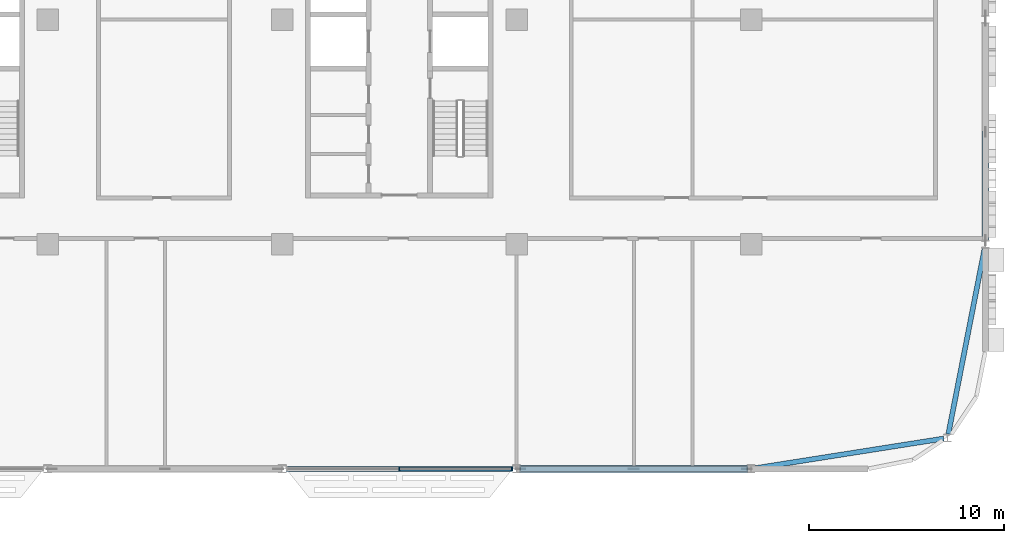
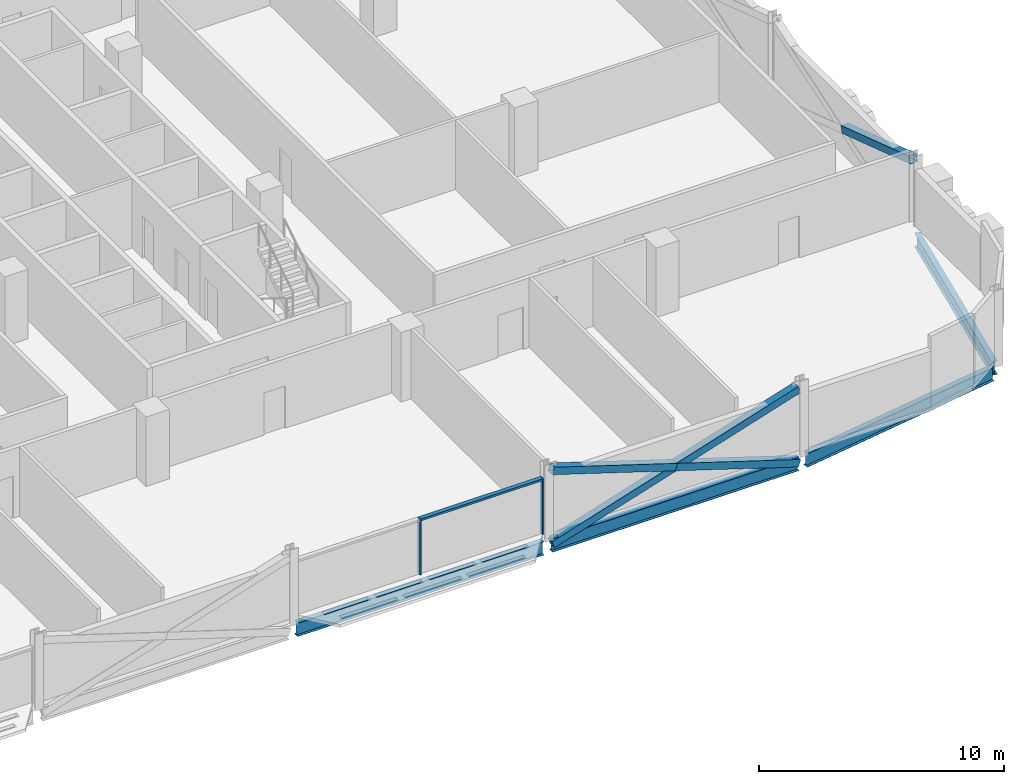
# One storey, part 9 of 30: 7 members, 4 beams, 1 element without a shape of its own.
"""IFC4 building model written with IfcOpenShell, lengths in metres."""

from ifc_helpers import new_model, si_unit, direction, frame, origin, origin_2d, place, context, subcontext, project, spatial, rectangle, hollow_rectangle, i_section, extrude, material, material_profile, profile_set, type_object, element, aggregate, save


model = new_model("IFC4")

# Units and contexts
model_context = context("Model", 3, precision=1e-05, world=origin(), true_north=direction((0.0, 1.0)))
body_context = subcontext(model_context, "Body", "Model", "MODEL_VIEW")
ifc_project = project(units=[si_unit("LENGTHUNIT", "METRE"), si_unit("AREAUNIT", "SQUARE_METRE"), si_unit("VOLUMEUNIT", "CUBIC_METRE"), si_unit("PLANEANGLEUNIT", "RADIAN"), si_unit("MASSUNIT", "GRAM", prefix="KILO")], contexts=[model_context])

# Site, building, storey
site_placement = place(None, origin())
site = spatial("IfcSite", under=ifc_project, at=site_placement, CompositionType="ELEMENT")
building_placement = place(site_placement, origin())
building = spatial("IfcBuilding", under=site, at=building_placement, Name="Mahtab Terrace Research Tower", CompositionType="ELEMENT")
storey_placement = place(building_placement, frame((0.0, 0.0, 216.699951171875)))
storey = spatial("IfcBuildingStorey", under=building, at=storey_placement, Name="L52", CompositionType="ELEMENT", Elevation=216.699951171875)

# Members
ifc_material_1 = material(Name="Steel ASTM A500 Gr C", Category="steel")
ifc_material_profile_1 = material_profile(ifc_material_1, hollow_rectangle(XDim=0.355712890625, YDim=0.355712890625, WallThickness=0.015869140625, at=origin_2d()), Name="HSS14X14X5/8")
ifc_profile_set_1 = profile_set([ifc_material_profile_1], Name="Steel ASTM A500 Gr C")
member_type_1 = type_object("IfcMemberType", Name="HSS 14x14x5/8 brace XB141458", PredefinedType="BRACE", material=ifc_profile_set_1)
member_1_placement = place(storey_placement, frame((30.20068359375, -23.0, -0.615478515625), z_axis=(0.953343380425, 0.0, 0.301888057067), x_axis=(0.0, 1.0, 0.0)))
element("IfcMember", 1, at=member_1_placement, inside=storey, type_object=member_type_1, Name="Exoskeleton brace L52 19 a", PredefinedType="BRACE", context=body_context, shape_type="SweptSolid", body=[
    extrude(hollow_rectangle(XDim=0.355712890625, YDim=0.355712890625, WallThickness=0.015869140625, at=origin_2d()), origin(), (0.0, 0.0, 1.0), 12.166259765625),
])
for number, where, z_axis, x_axis, name in (
    (2, (41.79931640625, -23.0, -0.615478515625), (-0.953343380425, 0.0, 0.301888057067), (0.0, -1.0, 0.0), "Exoskeleton brace L52 19 b1"),
    (3, (36.0, -23.0, 1.220947265625), (-0.953343380425, 0.0, 0.301888057067), (0.0, -1.0, 0.0), "Exoskeleton brace L52 19 b2"),
):
    element("IfcMember", number, at=place(storey_placement, frame(where, z_axis=z_axis, x_axis=x_axis)), inside=storey, type_object=member_type_1, Name=name, PredefinedType="BRACE", context=body_context, shape_type="SweptSolid", body=[
        extrude(hollow_rectangle(XDim=0.355712890625, YDim=0.355712890625, WallThickness=0.015869140625, at=origin_2d()), origin(), (0.0, 0.0, 1.0), 6.083251953125),
    ])
member_2_placement = place(storey_placement, frame((54.0, -5.75, 1.220947265625), z_axis=(0.0, -0.949498689047, 0.313770998496), x_axis=(1.0, 0.0, 0.0)))
element("IfcMember", 4, at=member_2_placement, inside=storey, type_object=member_type_1, Name="Exoskeleton brace L52 22 b2", PredefinedType="BRACE", context=body_context, shape_type="SweptSolid", body=[
    extrude(hollow_rectangle(XDim=0.355712890625, YDim=0.355712890625, WallThickness=0.015869140625, at=origin_2d()), origin(), (0.0, 0.0, 1.0), 5.845703125),
])

# Curtain wall, members
ifc_material_2 = material(Name="Laboratory ribbon curtain wall")
curtain_wall_type = type_object("IfcCurtainWallType", Name="Laboratory ribbon curtain wall", PredefinedType="NOTDEFINED", material=ifc_material_2)
curtain_wall_placement = place(storey_placement, origin())
curtain_wall = element("IfcCurtainWall", 5, at=curtain_wall_placement, inside=storey, type_object=curtain_wall_type, Name="EN.L52.13.28", PredefinedType="NOTDEFINED")
ifc_material_3 = material(Name="Natural anodised aluminium", Category="aluminium")
ifc_material_profile_2 = material_profile(ifc_material_3, rectangle(XDim=0.199951171875, YDim=0.06494140625, at=origin_2d()), Name="MULLION 65x200")
ifc_profile_set_2 = profile_set([ifc_material_profile_2], Name="Natural anodised aluminium")
member_type_2 = type_object("IfcMemberType", Name="Laboratory ribbon curtain wall mullion", PredefinedType="MULLION", material=ifc_profile_set_2)
member_3_placement = place(storey_placement, frame((24.0, -23.0, 0.0), z_axis=(0.0, 0.0, 1.0), x_axis=(0.0, 1.0, 0.0)))
member_3 = element("IfcMember", 6, at=member_3_placement, type_object=member_type_2, Name="CWL-6 mullion 2", PredefinedType="MULLION", context=body_context, shape_type="SweptSolid", body=[
    extrude(rectangle(XDim=0.199951171875, YDim=0.06494140625, at=origin_2d()), origin(), (0.0, 0.0, 1.0), 2.78173828125),
])
member_4_placement = place(storey_placement, frame((29.767578125, -23.0, 0.0), z_axis=(0.0, 0.0, 1.0), x_axis=(0.0, 1.0, 0.0)))
member_4 = element("IfcMember", 7, at=member_4_placement, type_object=member_type_2, Name="CWL-6 mullion 3", PredefinedType="MULLION", context=body_context, shape_type="SweptSolid", body=[
    extrude(rectangle(XDim=0.199951171875, YDim=0.06494140625, at=origin_2d()), origin(), (0.0, 0.0, 1.0), 2.78173828125),
])
ifc_material_profile_3 = material_profile(ifc_material_3, rectangle(XDim=0.199951171875, YDim=0.10009765625, at=origin_2d()), Name="TRANSOM 100x200")
ifc_profile_set_3 = profile_set([ifc_material_profile_3], Name="Natural anodised aluminium")
member_type_3 = type_object("IfcMemberType", Name="Laboratory ribbon curtain wall transom", PredefinedType="USERDEFINED", material=ifc_profile_set_3)
member_5_placement = place(storey_placement, frame((24.032470703125, -23.0, 2.73193359375), z_axis=(1.0, 0.0, 0.0), x_axis=(0.0, 1.0, 0.0)))
member_5 = element("IfcMember", 8, at=member_5_placement, type_object=member_type_3, Name="CWL-6 transom 2", ObjectType="TRANSOM", PredefinedType="USERDEFINED", context=body_context, shape_type="SweptSolid", body=[
    extrude(rectangle(XDim=0.199951171875, YDim=0.10009765625, at=origin_2d()), origin(), (0.0, 0.0, 1.0), 5.70263671875),
])
aggregate(curtain_wall, [member_3, member_4, member_5])

# Beams
ifc_material_4 = material(Name="Steel ASTM A992 Gr 50", Category="steel")
ifc_material_profile_4 = material_profile(ifc_material_4, i_section(OverallWidth=0.25390625, OverallDepth=0.67822265625, WebThickness=0.01171875, FlangeThickness=0.016357421875, at=origin_2d()), Name="W27X84")
ifc_profile_set_4 = profile_set([ifc_material_profile_4], Name="Steel ASTM A992 Gr 50")
beam_type = type_object("IfcBeamType", Name="W27x84 beam BS2784", PredefinedType="BEAM", material=ifc_profile_set_4)
for number, where, z_axis, x_axis, name in (
    (9, (18.20068359375, -23.0, -0.678955078125), (1.0, 0.0, 0.0), (0.0, 1.0, 0.0), "Spandrel beam L52 18"),
    (10, (30.20068359375, -23.0, -0.678955078125), (1.0, 0.0, 0.0), (0.0, 1.0, 0.0), "Spandrel beam L52 19"),
):
    element("IfcBeam", number, at=place(storey_placement, frame(where, z_axis=z_axis, x_axis=x_axis)), inside=storey, type_object=beam_type, Name=name, PredefinedType="BEAM", context=body_context, shape_type="SweptSolid", body=[
        extrude(i_section(OverallWidth=0.25390625, OverallDepth=0.67822265625, WebThickness=0.01171875, FlangeThickness=0.016357421875, at=origin_2d()), origin(), (0.0, 0.0, 1.0), 11.5986328125),
    ])
beam_1_placement = place(storey_placement, frame((42.20068359375, -22.968505859375, -0.678955078125), z_axis=(0.987831689273, 0.155526697604, 0.0), x_axis=(-0.155526697604, 0.987831689273, 0.0)))
element("IfcBeam", 11, at=beam_1_placement, inside=storey, type_object=beam_type, Name="Spandrel beam L52 20", PredefinedType="BEAM", context=body_context, shape_type="SweptSolid", body=[
    extrude(i_section(OverallWidth=0.25390625, OverallDepth=0.67822265625, WebThickness=0.01171875, FlangeThickness=0.016357421875, at=origin_2d()), origin(), (0.0, 0.0, 1.0), 9.779541015625),
])
beam_2_placement = place(storey_placement, frame((52.10107421875, -21.216552734375, -0.678955078125), z_axis=(0.191795474732, 0.981434916779, 0.0), x_axis=(-0.981434916779, 0.191795474732, 0.0)))
element("IfcBeam", 12, at=beam_2_placement, inside=storey, type_object=beam_type, Name="Spandrel beam L52 21", PredefinedType="BEAM", context=body_context, shape_type="SweptSolid", body=[
    extrude(i_section(OverallWidth=0.25390625, OverallDepth=0.67822265625, WebThickness=0.01171875, FlangeThickness=0.016357421875, at=origin_2d()), origin(), (0.0, 0.0, 1.0), 9.697021484375),
])

save(model, "model.ifc")
